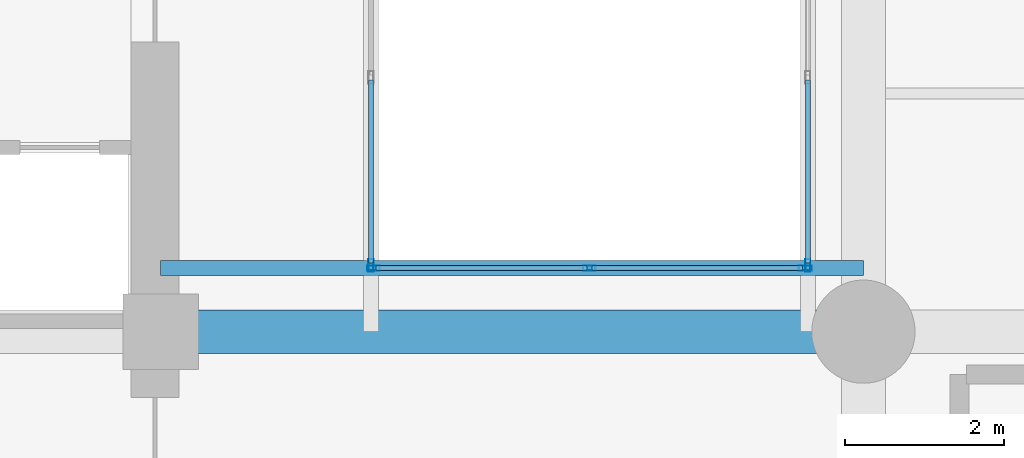
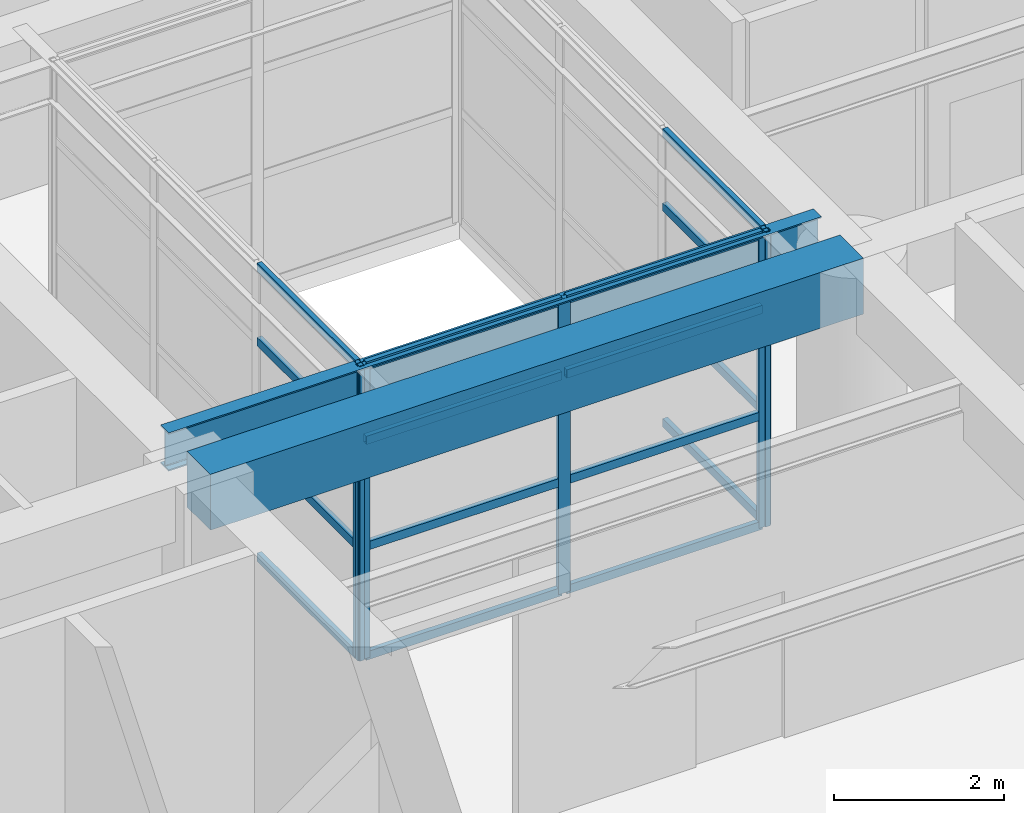
# One storey, part 2 of 10: 21 members, 2 beams, 3 elements without a shape of their own.
"""IFC4 building model written with IfcOpenShell, lengths in metres."""

import ifcopenshell
import ifcopenshell.guid

model = None  # the IFC model being written
_history = None  # IfcOwnerHistory: only IFC2X3 demands one
_inside = {}  # id of a spatial element -> (the spatial element, [elements in it])
_under = {}  # id of a project, library or spatial element -> (it, [spatial elements below it])
_declared = {}  # id of a project -> (the project, [libraries it declares])
_typed = {}  # id of a type object -> (the type object, [elements of that type])
_made_of = {}  # id of a material, layer set ... -> (it, [elements and type objects made of it])


def new_model(schema):
    """Start an empty IFC model of exactly this schema.

    Asked for "IFC4X3", IfcOpenShell would pick the latest addendum, in which some entities
    have other attributes; the version numbers below select the first issue.
    IFC2X3 requires an IfcOwnerHistory on every rooted entity: one is made here for all.
    """
    global model, _history
    if schema == "IFC4X3":
        model = ifcopenshell.file(schema_version=(4, 3, 0, 0))
    else:
        model = ifcopenshell.file(schema=schema)
    _inside.clear()
    _under.clear()
    _declared.clear()
    _typed.clear()
    _made_of.clear()
    _history = None
    if model.schema == "IFC2X3":
        org = make("IfcOrganization", Name="unknown")
        user = make(
            "IfcPersonAndOrganization",
            ThePerson=make("IfcPerson", FamilyName="unknown"),
            TheOrganization=org,
        )
        app = make(
            "IfcApplication",
            ApplicationDeveloper=org,
            Version="unknown",
            ApplicationFullName="unknown",
            ApplicationIdentifier="unknown",
        )
        _history = make(
            "IfcOwnerHistory",
            OwningUser=user,
            OwningApplication=app,
            ChangeAction="ADDED",
            CreationDate=0,
        )
    return model


def make(cls, **values):
    """One entity of the class cls with the attributes given. An attribute that is None is left unset."""
    return model.create_entity(
        cls, **{name: value for name, value in values.items() if value is not None}
    )


def rooted(cls, **values):
    """An entity with a GlobalId (a new one), such as an element, a storey or a relation."""
    return make(cls, GlobalId=ifcopenshell.guid.new(), OwnerHistory=_history, **values)


def si_unit(unit_type, name, prefix=None):
    """IfcSIUnit, for example si_unit("LENGTHUNIT", "METRE", prefix="MILLI")."""
    return make("IfcSIUnit", UnitType=unit_type, Prefix=prefix, Name=name)


def assignment(units):
    """IfcUnitAssignment: the units of a project."""
    return None if units is None else make("IfcUnitAssignment", Units=units)


def point(xyz):
    """IfcCartesianPoint."""
    return None if xyz is None else make("IfcCartesianPoint", Coordinates=xyz)


def direction(xyz):
    """IfcDirection."""
    return None if xyz is None else make("IfcDirection", DirectionRatios=xyz)


def frame(location, z_axis=None, x_axis=None):
    """IfcAxis2Placement3D, a coordinate frame: its origin and axes. An axis left out is left unset."""
    return make(
        "IfcAxis2Placement3D",
        Location=point(location),
        Axis=direction(z_axis),
        RefDirection=direction(x_axis),
    )


def frame_2d(location, x_axis=None):
    """IfcAxis2Placement2D, a coordinate frame in the plane: its origin and x axis."""
    return make(
        "IfcAxis2Placement2D", Location=point(location), RefDirection=direction(x_axis)
    )


def origin():
    """The frame at (0, 0, 0) with its axes left unset."""
    return frame((0.0, 0.0, 0.0))


def origin_2d():
    """The frame at (0, 0) in the plane with its x axis left unset."""
    return frame_2d((0.0, 0.0))


def place(relative_to, where):
    """IfcLocalPlacement: puts the frame where relative to a parent placement (None: the world)."""
    return make(
        "IfcLocalPlacement", PlacementRelTo=relative_to, RelativePlacement=where
    )


def context(
    kind, dimensions, precision=None, world=None, true_north=None, identifier=None
):
    """IfcGeometricRepresentationContext, for example the 3D "Model" context."""
    return make(
        "IfcGeometricRepresentationContext",
        ContextIdentifier=identifier,
        ContextType=kind,
        CoordinateSpaceDimension=dimensions,
        Precision=precision,
        WorldCoordinateSystem=world,
        TrueNorth=true_north,
    )


def subcontext(parent, identifier, kind, view, scale=None):
    """IfcGeometricRepresentationSubContext, for example "Body" below "Model"."""
    return make(
        "IfcGeometricRepresentationSubContext",
        ContextIdentifier=identifier,
        ContextType=kind,
        ParentContext=parent,
        TargetScale=scale,
        TargetView=view,
    )


def project(units=None, contexts=None):
    """IfcProject with its units and contexts."""
    return rooted(
        "IfcProject",
        Name="project",
        RepresentationContexts=contexts,
        UnitsInContext=assignment(units),
    )


def spatial(cls, under=None, at=None, **own):
    """A site, building, storey or space (cls), placed at a placement, below another one or the project."""
    s = rooted(cls, ObjectPlacement=at, **own)
    if under is not None:
        _under.setdefault(under.id(), (under, []))[1].append(s)
    return s


def profile(cls, at=None, kind="AREA", **sizes):
    """A parametric profile (cls). Its sizes go by their IFC names, for example OverallWidth=200.0."""
    return make(cls, ProfileType=kind, Position=at, **sizes)


def rectangle(**sizes):
    """IfcRectangleProfileDef."""
    return profile("IfcRectangleProfileDef", **sizes)


def hollow_rectangle(**sizes):
    """IfcRectangleHollowProfileDef."""
    return profile("IfcRectangleHollowProfileDef", **sizes)


def i_section(**sizes):
    """IfcIShapeProfileDef."""
    return profile("IfcIShapeProfileDef", **sizes)


def extrude(swept, where, along, depth):
    """IfcExtrudedAreaSolid: the profile swept, set in the frame where, extruded along a direction by depth."""
    return make(
        "IfcExtrudedAreaSolid",
        SweptArea=swept,
        Position=where,
        ExtrudedDirection=direction(along),
        Depth=depth,
    )


def shape(context_of_items, identifier, shape_type, items):
    """IfcShapeRepresentation: the items that make up one representation, for example the "Body"."""
    return make(
        "IfcShapeRepresentation",
        ContextOfItems=context_of_items,
        RepresentationIdentifier=identifier,
        RepresentationType=shape_type,
        Items=items,
    )


def material(Name=None, Category=None):
    """IfcMaterial."""
    return make("IfcMaterial", Name=Name, Category=Category)


def layer(
    of_material, thickness, ventilated=None, Name=None, Category=None, Priority=None
):
    """IfcMaterialLayer: one layer of a wall or slab, of a material (None: an air gap)."""
    return make(
        "IfcMaterialLayer",
        Material=of_material,
        LayerThickness=thickness,
        IsVentilated=ventilated,
        Name=Name,
        Category=Category,
        Priority=Priority,
    )


def layer_set(layers, Name=None):
    """IfcMaterialLayerSet."""
    return make("IfcMaterialLayerSet", MaterialLayers=layers, LayerSetName=Name)


def material_profile(
    of_material, cross_section, Name=None, Category=None, Priority=None
):
    """IfcMaterialProfile: a cross section and its material."""
    return make(
        "IfcMaterialProfile",
        Name=Name,
        Material=of_material,
        Profile=cross_section,
        Priority=Priority,
        Category=Category,
    )


def profile_set(profiles, Name=None, composite=None):
    """IfcMaterialProfileSet."""
    return make(
        "IfcMaterialProfileSet",
        Name=Name,
        MaterialProfiles=profiles,
        CompositeProfile=composite,
    )


def made_of(thing, what):
    """Note that an element or type object is made of a material, layer set ...; save() writes the relation."""
    if what is not None:
        _made_of.setdefault(what.id(), (what, []))[1].append(thing)
    return thing


def type_object(cls, material=None, **own):
    """A type object (cls), such as IfcWallType, which elements share."""
    return made_of(rooted(cls, **own), material)


def element(
    cls,
    number,
    at=None,
    inside=None,
    cuts=None,
    type_object=None,
    material=None,
    context=None,
    identifier="Body",
    shape_type=None,
    held_by="IfcProductDefinitionShape",
    body=None,
    shapes=None,
    **own,
):
    """One element of the class cls, such as IfcWall. Its Tag is "e" and its number.

    at: its placement. inside: the storey or other place that contains it. cuts: it is an
    opening in that element (IfcRelVoidsElement). A single representation is given by context,
    identifier, shape_type and body (its items); several are given by shapes. held_by: the class
    of the entity that holds the representations. save() writes the other relations.
    """
    e = rooted(cls, Tag="e%d" % number, ObjectPlacement=at, **own)
    if body is not None:
        shapes = [shape(context, identifier, shape_type, body)]
    if shapes is not None:
        e.Representation = make(held_by, Representations=shapes)
    if inside is not None:
        _inside.setdefault(inside.id(), (inside, []))[1].append(e)
    if cuts is not None:
        rooted(
            "IfcRelVoidsElement", RelatingBuildingElement=cuts, RelatedOpeningElement=e
        )
    if type_object is not None:
        _typed.setdefault(type_object.id(), (type_object, []))[1].append(e)
    return made_of(e, material)


def aggregate(whole, parts):
    """IfcRelAggregates: a whole, such as a stair, and the parts it consists of."""
    return rooted("IfcRelAggregates", RelatingObject=whole, RelatedObjects=parts)


def save(model, path):
    """Write the relations noted so far, then the file.

    IfcRelAggregates (storeys below a building ...), IfcRelContainedInSpatialStructure (elements
    in a storey), IfcRelDefinesByType, IfcRelAssociatesMaterial and IfcRelDeclares: one each for
    every whole, place, type object, material and project.
    """
    for whole, parts in _under.values():
        aggregate(whole, parts)
    for where, things in _inside.values():
        rooted(
            "IfcRelContainedInSpatialStructure",
            RelatedElements=things,
            RelatingStructure=where,
        )
    for kind, things in _typed.values():
        rooted("IfcRelDefinesByType", RelatedObjects=things, RelatingType=kind)
    for what, things in _made_of.values():
        rooted("IfcRelAssociatesMaterial", RelatedObjects=things, RelatingMaterial=what)
    for by, libraries in _declared.values():
        rooted("IfcRelDeclares", RelatingContext=by, RelatedDefinitions=libraries)
    model.write(path)


model = new_model("IFC4")

# Units and contexts
model_context = context("Model", 3, precision=1e-05, world=origin(), true_north=direction((0.0, 1.0)))
body_context = subcontext(model_context, "Body", "Model", "MODEL_VIEW")
ifc_project = project(units=[si_unit("LENGTHUNIT", "METRE"), si_unit("AREAUNIT", "SQUARE_METRE"), si_unit("VOLUMEUNIT", "CUBIC_METRE"), si_unit("PLANEANGLEUNIT", "RADIAN"), si_unit("MASSUNIT", "GRAM", prefix="KILO")], contexts=[model_context])

# Site, building, storey
site_placement = place(None, origin())
site = spatial("IfcSite", under=ifc_project, at=site_placement, CompositionType="ELEMENT")
building_placement = place(site_placement, origin())
building = spatial("IfcBuilding", under=site, at=building_placement, Name="Kundavana Baori Tower", CompositionType="ELEMENT")
storey_placement = place(building_placement, frame((0.0, 0.0, 12.5)))
storey = spatial("IfcBuildingStorey", under=building, at=storey_placement, Name="L02", CompositionType="ELEMENT", Elevation=12.5)

# Beams
ifc_material_1 = material(Name="Concrete C50/60", Category="concrete")
ifc_material_profile_1 = material_profile(ifc_material_1, rectangle(XDim=0.550048828125, YDim=0.800048828125, at=origin_2d()), Name="RC BM 550x800")
ifc_profile_set_1 = profile_set([ifc_material_profile_1], Name="Concrete C50/60")
beam_type_1 = type_object("IfcBeamType", Name="BM-RC-800", PredefinedType="BEAM", material=ifc_profile_set_1)
beam_1_placement = place(storey_placement, frame((24.949951171875, 24.199951171875, 3.820068359375), z_axis=(1.0, 0.0, 0.0), x_axis=(0.0, 1.0, 0.0)))
element("IfcBeam", 1, at=beam_1_placement, inside=storey, type_object=beam_type_1, Name="L02 Primary Grid Girder GX-2-2", PredefinedType="BEAM", context=body_context, shape_type="SweptSolid", body=[
    extrude(rectangle(XDim=0.550048828125, YDim=0.800048828125, at=origin_2d()), origin(), (0.0, 0.0, 1.0), 8.85009765625),
])
ifc_material_2 = material(Name="Structural Steel S355JR", Category="steel")
ifc_material_profile_2 = material_profile(ifc_material_2, i_section(OverallWidth=0.18994140625, OverallDepth=0.550048828125, WebThickness=0.01123046875, FlangeThickness=0.019287109375, FilletRadius=0.01806640625, at=origin_2d()), Name="ISMB 550")
ifc_profile_set_2 = profile_set([ifc_material_profile_2], Name="Structural Steel S355JR")
beam_type_2 = type_object("IfcBeamType", Name="BM-ST-550", PredefinedType="BEAM", material=ifc_profile_set_2)
beam_2_placement = place(storey_placement, frame((24.949951171875, 25.0, 3.945068359375), z_axis=(1.0, 0.0, 0.0), x_axis=(0.0, 1.0, 0.0)))
element("IfcBeam", 2, at=beam_2_placement, inside=storey, type_object=beam_type_2, Name="L02 Atrium South Edge Beam", PredefinedType="BEAM", context=body_context, shape_type="SweptSolid", body=[
    extrude(i_section(OverallWidth=0.18994140625, OverallDepth=0.550048828125, WebThickness=0.01123046875, FlangeThickness=0.019287109375, FilletRadius=0.01806640625, at=origin_2d()), origin(), (0.0, 0.0, 1.0), 8.85009765625),
])

# Curtain wall, members
ifc_material_3 = material(Name="Thermally Broken Anodised Aluminium Framing", Category="aluminium")
ifc_layer = layer(ifc_material_3, 0.159912109375, Name="CW-SYS-1")
ifc_layer_set = layer_set([ifc_layer], Name="Thermally Broken Anodised Aluminium Framing")
curtain_wall_type = type_object("IfcCurtainWallType", Name="CW-SYS-1", PredefinedType="NOTDEFINED", material=ifc_layer_set)
curtain_wall_1_placement = place(storey_placement, origin())
curtain_wall_1 = element("IfcCurtainWall", 3, at=curtain_wall_1_placement, inside=storey, type_object=curtain_wall_type, Name="L02 Atrium Glazed Curtain Wall S", PredefinedType="NOTDEFINED")
ifc_material_4 = material(Name="Thermally Broken Anodised Aluminium Framing", Category="aluminium")
ifc_material_profile_3 = material_profile(ifc_material_4, hollow_rectangle(XDim=0.06494140625, YDim=0.159912109375, WallThickness=0.00390625, at=origin_2d()), Name="CW-MULL-160")
ifc_profile_set_3 = profile_set([ifc_material_profile_3], Name="Thermally Broken Anodised Aluminium Framing")
member_type_1 = type_object("IfcMemberType", Name="CW-MULL-160", PredefinedType="MULLION", material=ifc_profile_set_3)
member_1_placement = place(storey_placement, frame((27.632568359375, 25.0, 0.0), z_axis=(0.0, 0.0, 1.0), x_axis=(0.0, 1.0, 0.0)))
member_1 = element("IfcMember", 4, at=member_1_placement, type_object=member_type_1, Name="CW1 mullion 1", PredefinedType="MULLION", context=body_context, shape_type="SweptSolid", body=[
    extrude(hollow_rectangle(XDim=0.06494140625, YDim=0.159912109375, WallThickness=0.00390625, at=origin_2d()), origin(), (0.0, 0.0, 1.0), 4.219970703125),
])
member_2_placement = place(storey_placement, frame((30.35009765625, 25.0, 0.0), z_axis=(0.0, 0.0, 1.0), x_axis=(0.0, 1.0, 0.0)))
member_2 = element("IfcMember", 5, at=member_2_placement, type_object=member_type_1, Name="CW1 mullion 2", PredefinedType="MULLION", context=body_context, shape_type="SweptSolid", body=[
    extrude(hollow_rectangle(XDim=0.06494140625, YDim=0.159912109375, WallThickness=0.00390625, at=origin_2d()), origin(), (0.0, 0.0, 1.0), 4.219970703125),
])
member_3_placement = place(storey_placement, frame((33.0673828125, 25.0, 0.0), z_axis=(0.0, 0.0, 1.0), x_axis=(0.0, 1.0, 0.0)))
member_3 = element("IfcMember", 6, at=member_3_placement, type_object=member_type_1, Name="CW1 mullion 3", PredefinedType="MULLION", context=body_context, shape_type="SweptSolid", body=[
    extrude(hollow_rectangle(XDim=0.06494140625, YDim=0.159912109375, WallThickness=0.00390625, at=origin_2d()), origin(), (0.0, 0.0, 1.0), 4.219970703125),
])

# Curtain wall, member
curtain_wall_2_placement = place(storey_placement, origin())
curtain_wall_2 = element("IfcCurtainWall", 7, at=curtain_wall_2_placement, inside=storey, type_object=curtain_wall_type, Name="L02 Atrium Glazed Curtain Wall E", PredefinedType="NOTDEFINED")
member_4_placement = place(storey_placement, frame((33.10009765625, 25.032470703125, 0.0), z_axis=(0.0, 0.0, 1.0), x_axis=(-1.0, 0.0, 0.0)))
member_4 = element("IfcMember", 8, at=member_4_placement, type_object=member_type_1, Name="CW1 mullion 1", PredefinedType="MULLION", context=body_context, shape_type="SweptSolid", body=[
    extrude(hollow_rectangle(XDim=0.06494140625, YDim=0.159912109375, WallThickness=0.00390625, at=origin_2d()), origin(), (0.0, 0.0, 1.0), 4.219970703125),
])

curtain_wall_3_placement = place(storey_placement, origin())
curtain_wall_3 = element("IfcCurtainWall", 9, at=curtain_wall_3_placement, inside=storey, type_object=curtain_wall_type, Name="L02 Atrium Glazed Curtain Wall W", PredefinedType="NOTDEFINED")
member_5_placement = place(storey_placement, frame((27.60009765625, 25.032470703125, 0.0), z_axis=(0.0, 0.0, 1.0), x_axis=(1.0, 0.0, 0.0)))
member_5 = element("IfcMember", 10, at=member_5_placement, type_object=member_type_1, Name="CW1 mullion 4", PredefinedType="MULLION", context=body_context, shape_type="SweptSolid", body=[
    extrude(hollow_rectangle(XDim=0.06494140625, YDim=0.159912109375, WallThickness=0.00390625, at=origin_2d()), origin(), (0.0, 0.0, 1.0), 4.219970703125),
])

# Member
ifc_material_5 = material(Name="Thermally Broken Anodised Aluminium Framing", Category="aluminium")
ifc_material_profile_4 = material_profile(ifc_material_5, hollow_rectangle(XDim=0.06494140625, YDim=0.1201171875, WallThickness=0.00390625, at=origin_2d()), Name="CW-TRAN-120")
ifc_profile_set_4 = profile_set([ifc_material_profile_4], Name="Thermally Broken Anodised Aluminium Framing")
member_type_2 = type_object("IfcMemberType", Name="CW-TRAN-120", PredefinedType="USERDEFINED", material=ifc_profile_set_4)
member_6_placement = place(storey_placement, frame((27.6650390625, 25.0, 0.032470703125), z_axis=(1.0, 0.0, 0.0), x_axis=(0.0, 1.0, 0.0)))
member_6 = element("IfcMember", 11, at=member_6_placement, type_object=member_type_2, Name="CW1 transom 1.1", ObjectType="TRANSOM", PredefinedType="USERDEFINED", context=body_context, shape_type="SweptSolid", body=[
    extrude(hollow_rectangle(XDim=0.06494140625, YDim=0.1201171875, WallThickness=0.00390625, at=origin_2d()), origin(), (0.0, 0.0, 1.0), 2.65234375),
])

member_7_placement = place(storey_placement, frame((27.6650390625, 25.0, 1.603515625), z_axis=(1.0, 0.0, 0.0), x_axis=(0.0, 1.0, 0.0)))
member_7 = element("IfcMember", 12, at=member_7_placement, type_object=member_type_2, Name="CW1 transom 1.2", ObjectType="TRANSOM", PredefinedType="USERDEFINED", context=body_context, shape_type="SweptSolid", body=[
    extrude(hollow_rectangle(XDim=0.06494140625, YDim=0.1201171875, WallThickness=0.00390625, at=origin_2d()), origin(), (0.0, 0.0, 1.0), 2.65234375),
])

member_8_placement = place(storey_placement, frame((27.6650390625, 25.0, 3.122802734375), z_axis=(1.0, 0.0, 0.0), x_axis=(0.0, 1.0, 0.0)))
member_8 = element("IfcMember", 13, at=member_8_placement, type_object=member_type_2, Name="CW1 transom 1.3", ObjectType="TRANSOM", PredefinedType="USERDEFINED", context=body_context, shape_type="SweptSolid", body=[
    extrude(hollow_rectangle(XDim=0.06494140625, YDim=0.1201171875, WallThickness=0.00390625, at=origin_2d()), origin(), (0.0, 0.0, 1.0), 2.65234375),
])

member_9_placement = place(storey_placement, frame((27.6650390625, 25.0, 4.1875), z_axis=(1.0, 0.0, 0.0), x_axis=(0.0, 1.0, 0.0)))
member_9 = element("IfcMember", 14, at=member_9_placement, type_object=member_type_2, Name="CW1 transom 1.4", ObjectType="TRANSOM", PredefinedType="USERDEFINED", context=body_context, shape_type="SweptSolid", body=[
    extrude(hollow_rectangle(XDim=0.06494140625, YDim=0.1201171875, WallThickness=0.00390625, at=origin_2d()), origin(), (0.0, 0.0, 1.0), 2.65234375),
])

member_10_placement = place(storey_placement, frame((30.382568359375, 25.0, 0.032470703125), z_axis=(1.0, 0.0, 0.0), x_axis=(0.0, 1.0, 0.0)))
member_10 = element("IfcMember", 15, at=member_10_placement, type_object=member_type_2, Name="CW1 transom 2.1", ObjectType="TRANSOM", PredefinedType="USERDEFINED", context=body_context, shape_type="SweptSolid", body=[
    extrude(hollow_rectangle(XDim=0.06494140625, YDim=0.1201171875, WallThickness=0.00390625, at=origin_2d()), origin(), (0.0, 0.0, 1.0), 2.65234375),
])

member_11_placement = place(storey_placement, frame((30.382568359375, 25.0, 1.603515625), z_axis=(1.0, 0.0, 0.0), x_axis=(0.0, 1.0, 0.0)))
member_11 = element("IfcMember", 16, at=member_11_placement, type_object=member_type_2, Name="CW1 transom 2.2", ObjectType="TRANSOM", PredefinedType="USERDEFINED", context=body_context, shape_type="SweptSolid", body=[
    extrude(hollow_rectangle(XDim=0.06494140625, YDim=0.1201171875, WallThickness=0.00390625, at=origin_2d()), origin(), (0.0, 0.0, 1.0), 2.65234375),
])

member_12_placement = place(storey_placement, frame((30.382568359375, 25.0, 3.122802734375), z_axis=(1.0, 0.0, 0.0), x_axis=(0.0, 1.0, 0.0)))
member_12 = element("IfcMember", 17, at=member_12_placement, type_object=member_type_2, Name="CW1 transom 2.3", ObjectType="TRANSOM", PredefinedType="USERDEFINED", context=body_context, shape_type="SweptSolid", body=[
    extrude(hollow_rectangle(XDim=0.06494140625, YDim=0.1201171875, WallThickness=0.00390625, at=origin_2d()), origin(), (0.0, 0.0, 1.0), 2.65234375),
])

member_13_placement = place(storey_placement, frame((30.382568359375, 25.0, 4.1875), z_axis=(1.0, 0.0, 0.0), x_axis=(0.0, 1.0, 0.0)))
member_13 = element("IfcMember", 18, at=member_13_placement, type_object=member_type_2, Name="CW1 transom 2.4", ObjectType="TRANSOM", PredefinedType="USERDEFINED", context=body_context, shape_type="SweptSolid", body=[
    extrude(hollow_rectangle(XDim=0.06494140625, YDim=0.1201171875, WallThickness=0.00390625, at=origin_2d()), origin(), (0.0, 0.0, 1.0), 2.65234375),
])

aggregate(curtain_wall_1, [member_1, member_2, member_3, member_6, member_7, member_8, member_9, member_10, member_11, member_12, member_13])

member_14_placement = place(storey_placement, frame((33.10009765625, 25.06494140625, 0.032470703125), z_axis=(0.0, 1.0, 0.0), x_axis=(-1.0, 0.0, 0.0)))
member_14 = element("IfcMember", 19, at=member_14_placement, type_object=member_type_2, Name="CW1 transom 1.1", ObjectType="TRANSOM", PredefinedType="USERDEFINED", context=body_context, shape_type="SweptSolid", body=[
    extrude(hollow_rectangle(XDim=0.06494140625, YDim=0.1201171875, WallThickness=0.00390625, at=origin_2d()), origin(), (0.0, 0.0, 1.0), 2.302490234375),
])

member_15_placement = place(storey_placement, frame((33.10009765625, 25.06494140625, 1.603515625), z_axis=(0.0, 1.0, 0.0), x_axis=(-1.0, 0.0, 0.0)))
member_15 = element("IfcMember", 20, at=member_15_placement, type_object=member_type_2, Name="CW1 transom 1.2", ObjectType="TRANSOM", PredefinedType="USERDEFINED", context=body_context, shape_type="SweptSolid", body=[
    extrude(hollow_rectangle(XDim=0.06494140625, YDim=0.1201171875, WallThickness=0.00390625, at=origin_2d()), origin(), (0.0, 0.0, 1.0), 2.302490234375),
])

member_16_placement = place(storey_placement, frame((33.10009765625, 25.06494140625, 3.122802734375), z_axis=(0.0, 1.0, 0.0), x_axis=(-1.0, 0.0, 0.0)))
member_16 = element("IfcMember", 21, at=member_16_placement, type_object=member_type_2, Name="CW1 transom 1.3", ObjectType="TRANSOM", PredefinedType="USERDEFINED", context=body_context, shape_type="SweptSolid", body=[
    extrude(hollow_rectangle(XDim=0.06494140625, YDim=0.1201171875, WallThickness=0.00390625, at=origin_2d()), origin(), (0.0, 0.0, 1.0), 2.302490234375),
])

member_17_placement = place(storey_placement, frame((33.10009765625, 25.06494140625, 4.1875), z_axis=(0.0, 1.0, 0.0), x_axis=(-1.0, 0.0, 0.0)))
member_17 = element("IfcMember", 22, at=member_17_placement, type_object=member_type_2, Name="CW1 transom 1.4", ObjectType="TRANSOM", PredefinedType="USERDEFINED", context=body_context, shape_type="SweptSolid", body=[
    extrude(hollow_rectangle(XDim=0.06494140625, YDim=0.1201171875, WallThickness=0.00390625, at=origin_2d()), origin(), (0.0, 0.0, 1.0), 2.302490234375),
])

aggregate(curtain_wall_2, [member_4, member_14, member_15, member_16, member_17])

member_18_placement = place(storey_placement, frame((27.60009765625, 27.367431640625, 0.032470703125), z_axis=(0.0, -1.0, 0.0), x_axis=(1.0, 0.0, 0.0)))
member_18 = element("IfcMember", 23, at=member_18_placement, type_object=member_type_2, Name="CW1 transom 3.1", ObjectType="TRANSOM", PredefinedType="USERDEFINED", context=body_context, shape_type="SweptSolid", body=[
    extrude(hollow_rectangle(XDim=0.06494140625, YDim=0.1201171875, WallThickness=0.00390625, at=origin_2d()), origin(), (0.0, 0.0, 1.0), 2.302490234375),
])

member_19_placement = place(storey_placement, frame((27.60009765625, 27.367431640625, 1.603515625), z_axis=(0.0, -1.0, 0.0), x_axis=(1.0, 0.0, 0.0)))
member_19 = element("IfcMember", 24, at=member_19_placement, type_object=member_type_2, Name="CW1 transom 3.2", ObjectType="TRANSOM", PredefinedType="USERDEFINED", context=body_context, shape_type="SweptSolid", body=[
    extrude(hollow_rectangle(XDim=0.06494140625, YDim=0.1201171875, WallThickness=0.00390625, at=origin_2d()), origin(), (0.0, 0.0, 1.0), 2.302490234375),
])

member_20_placement = place(storey_placement, frame((27.60009765625, 27.367431640625, 3.122802734375), z_axis=(0.0, -1.0, 0.0), x_axis=(1.0, 0.0, 0.0)))
member_20 = element("IfcMember", 25, at=member_20_placement, type_object=member_type_2, Name="CW1 transom 3.3", ObjectType="TRANSOM", PredefinedType="USERDEFINED", context=body_context, shape_type="SweptSolid", body=[
    extrude(hollow_rectangle(XDim=0.06494140625, YDim=0.1201171875, WallThickness=0.00390625, at=origin_2d()), origin(), (0.0, 0.0, 1.0), 2.302490234375),
])

member_21_placement = place(storey_placement, frame((27.60009765625, 27.367431640625, 4.1875), z_axis=(0.0, -1.0, 0.0), x_axis=(1.0, 0.0, 0.0)))
member_21 = element("IfcMember", 26, at=member_21_placement, type_object=member_type_2, Name="CW1 transom 3.4", ObjectType="TRANSOM", PredefinedType="USERDEFINED", context=body_context, shape_type="SweptSolid", body=[
    extrude(hollow_rectangle(XDim=0.06494140625, YDim=0.1201171875, WallThickness=0.00390625, at=origin_2d()), origin(), (0.0, 0.0, 1.0), 2.302490234375),
])

aggregate(curtain_wall_3, [member_5, member_18, member_19, member_20, member_21])

save(model, "model.ifc")
